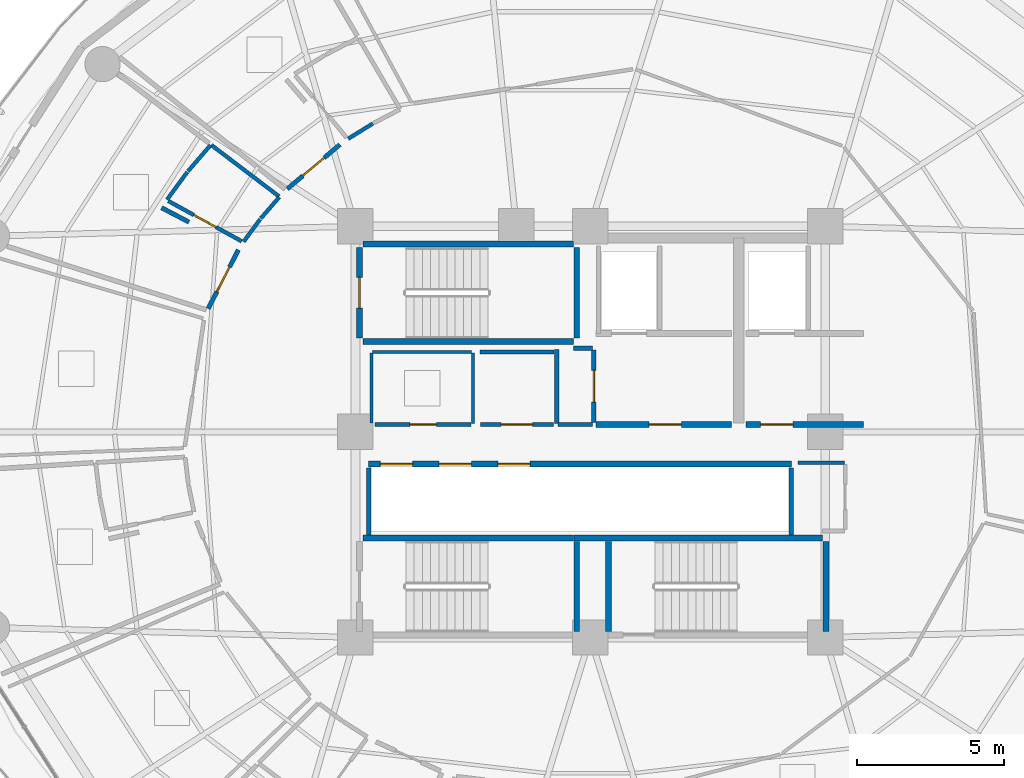
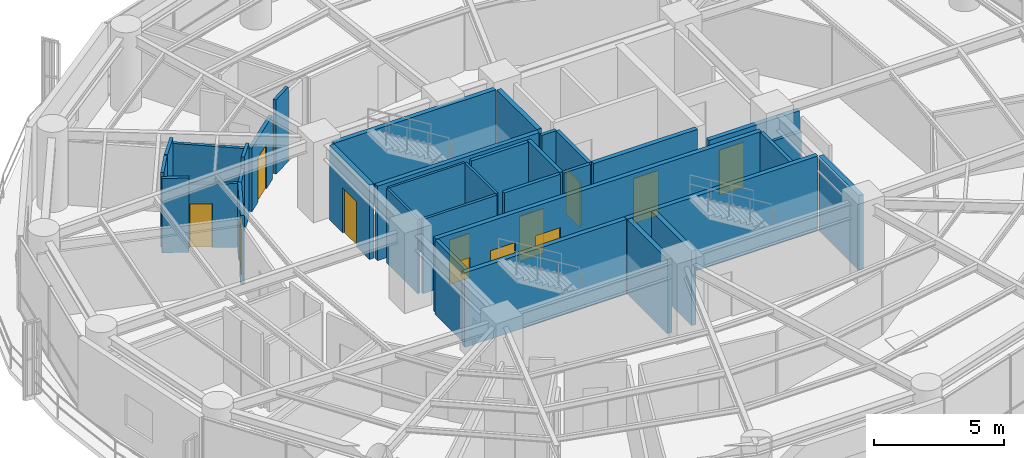
# One storey, part 22 of 27: 35 walls, 12 doors, 12 openings.
"""IFC4 building model written with IfcOpenShell, lengths in metres."""

from ifc_helpers import new_model, si_unit, direction, frame, frame_2d, origin, place, context, subcontext, project, spatial, rectangle, extrude, material, layer, layer_set, type_object, element, fill, save


model = new_model("IFC4")

# Units and contexts
model_context = context("Model", 3, precision=1e-05, world=origin(), true_north=direction((0.0, 1.0)))
body_context = subcontext(model_context, "Body", "Model", "MODEL_VIEW")
ifc_project = project(units=[si_unit("LENGTHUNIT", "METRE"), si_unit("AREAUNIT", "SQUARE_METRE"), si_unit("VOLUMEUNIT", "CUBIC_METRE"), si_unit("PLANEANGLEUNIT", "RADIAN"), si_unit("MASSUNIT", "GRAM", prefix="KILO")], contexts=[model_context])

# Site, building, storey
site_placement = place(None, origin())
site = spatial("IfcSite", under=ifc_project, at=site_placement, CompositionType="ELEMENT")
building_placement = place(site_placement, origin())
building = spatial("IfcBuilding", under=site, at=building_placement, Name="Kelanora Arch Commons", CompositionType="ELEMENT")
storey_placement = place(building_placement, frame((0.0, 0.0, 150.60009765625)))
storey = spatial("IfcBuildingStorey", under=building, at=storey_placement, Name="L38", CompositionType="ELEMENT", Elevation=150.60009765625)

# Walls
ifc_material_1 = material(Name="Autoclaved aerated concrete blockwork with fire plaster", Category="masonry")
ifc_layer_1 = layer(ifc_material_1, 0.14990234375)
ifc_layer_set_1 = layer_set([ifc_layer_1], Name="Autoclaved aerated concrete blockwork with fire plaster")
wall_type_1 = type_object("IfcWallType", Name="W-COMP-150", PredefinedType="PARTITIONING", material=ifc_layer_set_1)
for number, where, z_axis, x_axis, name in (
    (1, (66.4599609375, 54.47998046875, 0.0), (0.0, 0.0, 1.0), (0.0, 1.0, 0.0), "South Lift Bank West Wall L38"),
    (2, (80.840087890625, 54.47998046875, 0.0), (0.0, 0.0, 1.0), (0.0, 1.0, 0.0), "South Lift Bank East Wall L38"),
):
    element("IfcWall", number, at=place(storey_placement, frame(where, z_axis=z_axis, x_axis=x_axis)), inside=storey, type_object=wall_type_1, Name=name, PredefinedType="PARTITIONING", context=body_context, shape_type="SweptSolid", body=[
        extrude(rectangle(XDim=2.2900390625, YDim=0.14990234375, at=frame_2d((1.14501953125, 0.0))), origin(), (0.0, 0.0, 1.0), 3.47998046875),
    ])

# Wall, opening, door
wall_1_placement = place(storey_placement, frame((74.1201171875, 58.31005859375, 0.0), z_axis=(0.0, 0.0, 1.0), x_axis=(0.0, 1.0, 0.0)))
wall_1 = element("IfcWall", 3, at=wall_1_placement, inside=storey, type_object=wall_type_1, Name="Core Linen Supply Store L38 Entry Partition", PredefinedType="PARTITIONING", context=body_context, shape_type="SweptSolid", body=[
    extrude(rectangle(XDim=2.47998046875, YDim=0.14990234375, at=frame_2d((1.239990234375, 0.0))), origin(), (0.0, 0.0, 1.0), 3.47998046875),
])
opening_1_placement = place(wall_1_placement, frame((0.699951171875, 0.0, 0.0)))
opening_1 = element("IfcOpeningElement", 4, at=opening_1_placement, cuts=wall_1, Name="Opening D-PLT1", PredefinedType="OPENING", context=body_context, shape_type="SweptSolid", body=[
    extrude(rectangle(XDim=1.080078125, YDim=2.10009765625, at=frame_2d((0.5400390625, 1.050048828125))), frame((0.0, 0.0849609375, 0.0), z_axis=(0.0, -1.0, 0.0), x_axis=(1.0, 0.0, 0.0)), (0.0, 0.0, 1.0), 0.169921875),
])
ifc_material_2 = material(Name="Galvanised steel plant and riser fire door", Category="steel")
door_type_1 = type_object("IfcDoorType", Name="D-PLT-110", OperationType="NOTDEFINED", PredefinedType="DOOR", material=ifc_material_2)
door_1_placement = place(opening_1_placement, origin())
door_1 = element("IfcDoor", 5, at=door_1_placement, inside=storey, type_object=door_type_1, Name="Core Linen Supply Store L38 Door", OperationType="SINGLE_SWING_RIGHT", OverallHeight=2.10009765625, OverallWidth=1.080078125, PredefinedType="DOOR", context=body_context, shape_type="SweptSolid", body=[
    extrude(rectangle(XDim=1.080078125, YDim=2.10009765625, at=frame_2d((0.5400390625, 1.050048828125))), frame((0.0, 0.02490234375, 0.0), z_axis=(0.0, -1.0, 0.0), x_axis=(1.0, 0.0, 0.0)), (0.0, 0.0, 1.0), 0.050048828125),
])
fill(opening_1, door_1)

wall_2_placement = place(storey_placement, frame((70.260009765625, 58.25, 0.0), z_axis=(0.0, 0.0, 1.0), x_axis=(1.0, 0.0, 0.0)))
wall_2 = element("IfcWall", 6, at=wall_2_placement, inside=storey, type_object=wall_type_1, Name="Reclaimed Core Linen Store L38 Entry Partition", PredefinedType="PARTITIONING", context=body_context, shape_type="SweptSolid", body=[
    extrude(rectangle(XDim=2.47998046875, YDim=0.14990234375, at=frame_2d((1.239990234375, 0.0))), origin(), (0.0, 0.0, 1.0), 3.47998046875),
])
opening_2_placement = place(wall_2_placement, frame((0.699951171875, 0.0, 0.0)))
opening_2 = element("IfcOpeningElement", 7, at=opening_2_placement, cuts=wall_2, Name="Opening D-PLT1", PredefinedType="OPENING", context=body_context, shape_type="SweptSolid", body=[
    extrude(rectangle(XDim=1.080078125, YDim=2.10009765625, at=frame_2d((0.5400390625, 1.050048828125))), frame((0.0, 0.0849609375, 0.0), z_axis=(0.0, -1.0, 0.0), x_axis=(1.0, 0.0, 0.0)), (0.0, 0.0, 1.0), 0.169921875),
])
door_2_placement = place(opening_2_placement, origin())
door_2 = element("IfcDoor", 8, at=door_2_placement, inside=storey, type_object=door_type_1, Name="Reclaimed Core Linen Store L38 Door", OperationType="SINGLE_SWING_LEFT", OverallHeight=2.10009765625, OverallWidth=1.080078125, PredefinedType="DOOR", context=body_context, shape_type="SweptSolid", body=[
    extrude(rectangle(XDim=1.080078125, YDim=2.10009765625, at=frame_2d((0.5400390625, 1.050048828125))), frame((0.0, 0.02490234375, 0.0), z_axis=(0.0, -1.0, 0.0), x_axis=(1.0, 0.0, 0.0)), (0.0, 0.0, 1.0), 0.050048828125),
])
fill(opening_2, door_2)

wall_3_placement = place(storey_placement, frame((65.47314453125, 67.7802734375, 0.0), z_axis=(0.0, 0.0, 1.0), x_axis=(-0.764572750514, -0.644537438146, 0.0)))
wall_3 = element("IfcWall", 9, at=wall_3_placement, inside=storey, type_object=wall_type_1, Name="Co-Living Studio L38-01 Entry Partition", PredefinedType="PARTITIONING", context=body_context, shape_type="SweptSolid", body=[
    extrude(rectangle(XDim=2.339111328125, YDim=0.14990234375, at=frame_2d((1.16943359375, 0.0))), origin(), (0.0, 0.0, 1.0), 2.974853515625),
])
opening_3_placement = place(wall_3_placement, frame((0.694091796875, 0.0, 0.0)))
opening_3 = element("IfcOpeningElement", 10, at=opening_3_placement, cuts=wall_3, Name="Opening D-CLU1", PredefinedType="OPENING", context=body_context, shape_type="SweptSolid", body=[
    extrude(rectangle(XDim=0.949951171875, YDim=2.080078125, at=frame_2d((0.47509765625, 1.0400390625))), frame((0.0, 0.0849609375, 0.0), z_axis=(0.0, -1.0, 0.0), x_axis=(1.0, 0.0, 0.0)), (0.0, 0.0, 1.0), 0.169921875),
])
ifc_material_3 = material(Name="Solid-core acoustic timber cluster entry fire door", Category="wood")
door_type_2 = type_object("IfcDoorType", Name="D-CLU-95", OperationType="NOTDEFINED", PredefinedType="DOOR", material=ifc_material_3)
door_3_placement = place(opening_3_placement, origin())
door_3 = element("IfcDoor", 11, at=door_3_placement, inside=storey, type_object=door_type_2, Name="Co-Living Studio L38-01 Door", OperationType="SINGLE_SWING_LEFT", OverallHeight=2.080078125, OverallWidth=0.949951171875, PredefinedType="DOOR", context=body_context, shape_type="SweptSolid", body=[
    extrude(rectangle(XDim=0.949951171875, YDim=2.080078125, at=frame_2d((0.47509765625, 1.0400390625))), frame((0.0, 0.02490234375, 0.0), z_axis=(0.0, -1.0, 0.0), x_axis=(1.0, 0.0, 0.0)), (0.0, 0.0, 1.0), 0.050048828125),
])
fill(opening_3, door_3)

wall_4_placement = place(storey_placement, frame((62.0146484375, 64.191650390625, 0.0), z_axis=(0.0, 0.0, 1.0), x_axis=(-0.457234963971, -0.889345932538, 0.0)))
wall_4 = element("IfcWall", 12, at=wall_4_placement, inside=storey, type_object=wall_type_1, Name="Co-Living Studio L38-02 Entry Partition", PredefinedType="PARTITIONING", context=body_context, shape_type="SweptSolid", body=[
    extrude(rectangle(XDim=2.24462890625, YDim=0.14990234375, at=frame_2d((1.122314453125, 0.0))), origin(), (0.0, 0.0, 1.0), 3.23486328125),
])
opening_4_placement = place(wall_4_placement, frame((0.64697265625, 0.0, 0.0)))
opening_4 = element("IfcOpeningElement", 13, at=opening_4_placement, cuts=wall_4, Name="Opening D-CLU1", PredefinedType="OPENING", context=body_context, shape_type="SweptSolid", body=[
    extrude(rectangle(XDim=0.949951171875, YDim=2.080078125, at=frame_2d((0.47509765625, 1.0400390625))), frame((0.0, 0.0849609375, 0.0), z_axis=(0.0, -1.0, 0.0), x_axis=(1.0, 0.0, 0.0)), (0.0, 0.0, 1.0), 0.169921875),
])
door_4_placement = place(opening_4_placement, origin())
door_4 = element("IfcDoor", 14, at=door_4_placement, inside=storey, type_object=door_type_2, Name="Co-Living Studio L38-02 Door", OperationType="SINGLE_SWING_LEFT", OverallHeight=2.080078125, OverallWidth=0.949951171875, PredefinedType="DOOR", context=body_context, shape_type="SweptSolid", body=[
    extrude(rectangle(XDim=0.949951171875, YDim=2.080078125, at=frame_2d((0.47509765625, 1.0400390625))), frame((0.0, 0.02490234375, 0.0), z_axis=(0.0, -1.0, 0.0), x_axis=(1.0, 0.0, 0.0)), (0.0, 0.0, 1.0), 0.050048828125),
])
fill(opening_4, door_4)

# Walls
wall_5_placement = place(storey_placement, frame((72.89990234375, 58.25, 0.0), z_axis=(0.0, 0.0, 1.0), x_axis=(1.0, 0.0, 0.0)))
element("IfcWall", 15, at=wall_5_placement, inside=storey, type_object=wall_type_1, Name="Core Linen Supply Store L38 Enclosure Partition 1", PredefinedType="PARTITIONING", context=body_context, shape_type="SweptSolid", body=[
    extrude(rectangle(XDim=1.18017578125, YDim=0.14990234375, at=frame_2d((0.590087890625, 0.0))), origin(), (0.0, 0.0, 1.0), 3.47998046875),
])
wall_6_placement = place(storey_placement, frame((74.080078125, 60.85009765625, 0.0), z_axis=(0.0, 0.0, 1.0), x_axis=(-1.0, 0.0, 0.0)))
element("IfcWall", 16, at=wall_6_placement, inside=storey, type_object=wall_type_1, Name="Core Linen Supply Store L38 Enclosure Partition 3", PredefinedType="PARTITIONING", context=body_context, shape_type="SweptSolid", body=[
    extrude(rectangle(XDim=0.66015625, YDim=0.14990234375, at=frame_2d((0.330078125, 0.0))), origin(), (0.0, 0.0, 1.0), 3.47998046875),
])
for number, where, z_axis, x_axis, name in (
    (17, (72.860107421875, 60.81005859375, 0.0), (0.0, 0.0, 1.0), (0.0, -1.0, 0.0), "Core Linen Supply Store L38 Enclosure Partition 4"),
    (18, (72.760009765625, 60.719970703125, 0.0), (0.0, 0.0, 1.0), (-1.0, 0.0, 0.0), "Reclaimed Core Linen Store L38 Enclosure Partition 3"),
):
    element("IfcWall", number, at=place(storey_placement, frame(where, z_axis=z_axis, x_axis=x_axis)), inside=storey, type_object=wall_type_1, Name=name, PredefinedType="PARTITIONING", context=body_context, shape_type="SweptSolid", body=[
        extrude(rectangle(XDim=2.52001953125, YDim=0.14990234375, at=frame_2d((1.260009765625, 0.0))), origin(), (0.0, 0.0, 1.0), 3.47998046875),
    ])
wall_7_placement = place(storey_placement, frame((59.40234375, 65.63037109375, 0.0), z_axis=(0.0, 0.0, 1.0), x_axis=(0.885450338388, -0.46473400806, 0.0)))
element("IfcWall", 19, at=wall_7_placement, inside=storey, type_object=wall_type_1, Name="Co-Living Studio L38-02 Enclosure Partition 7", PredefinedType="PARTITIONING", context=body_context, shape_type="SweptSolid", body=[
    extrude(rectangle(XDim=1.0537109375, YDim=0.14990234375, at=frame_2d((0.52685546875, 0.0))), origin(), (0.0, 0.0, 1.0), 3.47998046875),
])

# Wall, opening, door
ifc_material_4 = material(Name="Concrete C40/50", Category="concrete")
ifc_layer_2 = layer(ifc_material_4, 0.199951171875)
ifc_layer_set_2 = layer_set([ifc_layer_2], Name="Concrete C40/50")
wall_type_2 = type_object("IfcWallType", Name="W-FFL-200", PredefinedType="SOLIDWALL", material=ifc_layer_set_2)
wall_8_placement = place(storey_placement, frame((74.199951171875, 58.25, 0.0), z_axis=(0.0, 0.0, 1.0), x_axis=(1.0, 0.0, 0.0)))
wall_8 = element("IfcWall", 20, at=wall_8_placement, inside=storey, type_object=wall_type_2, Name="Firefighting Lobby 1 Enclosure Wall L38", PredefinedType="SOLIDWALL", context=body_context, shape_type="SweptSolid", body=[
    extrude(rectangle(XDim=4.60009765625, YDim=0.199951171875, at=frame_2d((2.300048828125, 0.0))), origin(), (0.0, 0.0, 1.0), 3.47998046875),
])
opening_5_placement = place(wall_8_placement, frame((1.800048828125, 0.0, 0.0)))
opening_5 = element("IfcOpeningElement", 21, at=opening_5_placement, cuts=wall_8, Name="Opening D-FFL1", PredefinedType="OPENING", context=body_context, shape_type="SweptSolid", body=[
    extrude(rectangle(XDim=1.10009765625, YDim=2.10009765625, at=frame_2d((0.550048828125, 1.050048828125))), frame((0.0, 0.10986328125, 0.0), z_axis=(0.0, -1.0, 0.0), x_axis=(1.0, 0.0, 0.0)), (0.0, 0.0, 1.0), 0.219970703125),
])
ifc_material_5 = material(Name="Smoke-sealed firefighting lobby fire door")
door_type_3 = type_object("IfcDoorType", Name="D-FFL-110", OperationType="NOTDEFINED", PredefinedType="DOOR", material=ifc_material_5)
door_5_placement = place(opening_5_placement, frame((1.10009765625, 0.0, 0.0), z_axis=(0.0, 0.0, 1.0), x_axis=(-1.0, 0.0, 0.0)))
door_5 = element("IfcDoor", 22, at=door_5_placement, inside=storey, type_object=door_type_3, Name="Firefighting Lobby 1 Door L38", OperationType="SINGLE_SWING_LEFT", OverallHeight=2.10009765625, OverallWidth=1.10009765625, PredefinedType="DOOR", context=body_context, shape_type="SweptSolid", body=[
    extrude(rectangle(XDim=1.10009765625, YDim=2.10009765625, at=frame_2d((0.550048828125, 1.050048828125))), frame((0.0, 0.02490234375, 0.0), z_axis=(0.0, -1.0, 0.0), x_axis=(1.0, 0.0, 0.0)), (0.0, 0.0, 1.0), 0.050048828125),
])
fill(opening_5, door_5)

wall_9_placement = place(storey_placement, frame((79.300048828125, 58.25, 0.0), z_axis=(0.0, 0.0, 1.0), x_axis=(1.0, 0.0, 0.0)))
wall_9 = element("IfcWall", 23, at=wall_9_placement, inside=storey, type_object=wall_type_2, Name="Firefighting Lobby 2 Enclosure Wall L38", PredefinedType="SOLIDWALL", context=body_context, shape_type="SweptSolid", body=[
    extrude(rectangle(XDim=4.0, YDim=0.199951171875, at=frame_2d((2.0, 0.0))), origin(), (0.0, 0.0, 1.0), 2.77490234375),
])
opening_6_placement = place(wall_9_placement, frame((0.5, 0.0, 0.0)))
opening_6 = element("IfcOpeningElement", 24, at=opening_6_placement, cuts=wall_9, Name="Opening D-FFL1", PredefinedType="OPENING", context=body_context, shape_type="SweptSolid", body=[
    extrude(rectangle(XDim=1.10009765625, YDim=2.10009765625, at=frame_2d((0.550048828125, 1.050048828125))), frame((0.0, 0.10986328125, 0.0), z_axis=(0.0, -1.0, 0.0), x_axis=(1.0, 0.0, 0.0)), (0.0, 0.0, 1.0), 0.219970703125),
])
door_6_placement = place(opening_6_placement, frame((1.10009765625, 0.0, 0.0), z_axis=(0.0, 0.0, 1.0), x_axis=(-1.0, 0.0, 0.0)))
door_6 = element("IfcDoor", 25, at=door_6_placement, inside=storey, type_object=door_type_3, Name="Firefighting Lobby 2 Door L38", OperationType="SINGLE_SWING_RIGHT", OverallHeight=2.10009765625, OverallWidth=1.10009765625, PredefinedType="DOOR", context=body_context, shape_type="SweptSolid", body=[
    extrude(rectangle(XDim=1.10009765625, YDim=2.10009765625, at=frame_2d((0.550048828125, 1.050048828125))), frame((0.0, 0.02490234375, 0.0), z_axis=(0.0, -1.0, 0.0), x_axis=(1.0, 0.0, 0.0)), (0.0, 0.0, 1.0), 0.050048828125),
])
fill(opening_6, door_6)

# Wall, openings, doors
wall_10_placement = place(storey_placement, frame((66.449951171875, 56.89990234375, 0.0), z_axis=(0.0, 0.0, 1.0), x_axis=(1.0, 0.0, 0.0)))
wall_10 = element("IfcWall", 26, at=wall_10_placement, inside=storey, type_object=wall_type_2, Name="Mid/High/Express Lift Shaft Front L38", PredefinedType="SOLIDWALL", context=body_context, shape_type="SweptSolid", body=[
    extrude(rectangle(XDim=14.400146484375, YDim=0.199951171875, at=frame_2d((7.2001953125, 0.0))), origin(), (0.0, 0.0, 1.0), 3.47998046875),
])
opening_7_placement = place(wall_10_placement, frame((0.39990234375, 0.0, 0.0)))
opening_7 = element("IfcOpeningElement", 27, at=opening_7_placement, cuts=wall_10, Name="Opening LD-01", PredefinedType="OPENING", context=body_context, shape_type="SweptSolid", body=[
    extrude(rectangle(XDim=1.10009765625, YDim=2.10009765625, at=frame_2d((0.550048828125, 1.050048828125))), frame((0.0, 0.10986328125, 0.0), z_axis=(0.0, -1.0, 0.0), x_axis=(1.0, 0.0, 0.0)), (0.0, 0.0, 1.0), 0.219970703125),
])
opening_8_placement = place(wall_10_placement, frame((2.39990234375, 0.0, 0.0)))
opening_8 = element("IfcOpeningElement", 28, at=opening_8_placement, cuts=wall_10, Name="Opening LD-01", PredefinedType="OPENING", context=body_context, shape_type="SweptSolid", body=[
    extrude(rectangle(XDim=1.10009765625, YDim=2.10009765625, at=frame_2d((0.550048828125, 1.050048828125))), frame((0.0, 0.10986328125, 0.0), z_axis=(0.0, -1.0, 0.0), x_axis=(1.0, 0.0, 0.0)), (0.0, 0.0, 1.0), 0.219970703125),
])
opening_9_placement = place(wall_10_placement, frame((4.39990234375, 0.0, 0.0)))
opening_9 = element("IfcOpeningElement", 29, at=opening_9_placement, cuts=wall_10, Name="Opening LD-01", PredefinedType="OPENING", context=body_context, shape_type="SweptSolid", body=[
    extrude(rectangle(XDim=1.10009765625, YDim=2.10009765625, at=frame_2d((0.550048828125, 1.050048828125))), frame((0.0, 0.10986328125, 0.0), z_axis=(0.0, -1.0, 0.0), x_axis=(1.0, 0.0, 0.0)), (0.0, 0.0, 1.0), 0.219970703125),
])
ifc_material_6 = material(Name="Stainless steel passenger lift sliding landing door", Category="steel")
door_type_4 = type_object("IfcDoorType", Name="D-LIFT-110", OperationType="NOTDEFINED", PredefinedType="DOOR", material=ifc_material_6)
door_7_placement = place(opening_7_placement, origin())
door_7 = element("IfcDoor", 30, at=door_7_placement, inside=storey, type_object=door_type_4, Name="Passenger Lift LF-P4 Landing Door L38", OperationType="DOUBLE_DOOR_SLIDING", OverallHeight=2.10009765625, OverallWidth=1.10009765625, PredefinedType="DOOR", context=body_context, shape_type="SweptSolid", body=[
    extrude(rectangle(XDim=1.10009765625, YDim=2.10009765625, at=frame_2d((0.550048828125, 1.050048828125))), frame((0.0, 0.02490234375, 0.0), z_axis=(0.0, -1.0, 0.0), x_axis=(1.0, 0.0, 0.0)), (0.0, 0.0, 1.0), 0.050048828125),
])
fill(opening_7, door_7)
door_8_placement = place(opening_8_placement, origin())
door_8 = element("IfcDoor", 31, at=door_8_placement, inside=storey, type_object=door_type_4, Name="Passenger Lift LF-P5 Landing Door L38", OperationType="DOUBLE_DOOR_SLIDING", OverallHeight=2.10009765625, OverallWidth=1.10009765625, PredefinedType="DOOR", context=body_context, shape_type="SweptSolid", body=[
    extrude(rectangle(XDim=1.10009765625, YDim=2.10009765625, at=frame_2d((0.550048828125, 1.050048828125))), frame((0.0, 0.02490234375, 0.0), z_axis=(0.0, -1.0, 0.0), x_axis=(1.0, 0.0, 0.0)), (0.0, 0.0, 1.0), 0.050048828125),
])
fill(opening_8, door_8)
door_9_placement = place(opening_9_placement, origin())
door_9 = element("IfcDoor", 32, at=door_9_placement, inside=storey, type_object=door_type_4, Name="Passenger Lift LF-P6 Landing Door L38", OperationType="DOUBLE_DOOR_SLIDING", OverallHeight=2.10009765625, OverallWidth=1.10009765625, PredefinedType="DOOR", context=body_context, shape_type="SweptSolid", body=[
    extrude(rectangle(XDim=1.10009765625, YDim=2.10009765625, at=frame_2d((0.550048828125, 1.050048828125))), frame((0.0, 0.02490234375, 0.0), z_axis=(0.0, -1.0, 0.0), x_axis=(1.0, 0.0, 0.0)), (0.0, 0.0, 1.0), 0.050048828125),
])
fill(opening_9, door_9)

# Walls
ifc_material_7 = material(Name="Lightweight fire-rated acoustic stud partition")
ifc_layer_3 = layer(ifc_material_7, 0.10009765625)
ifc_layer_set_3 = layer_set([ifc_layer_3], Name="Lightweight fire-rated acoustic stud partition")
wall_type_3 = type_object("IfcWallType", Name="W-PART-100", PredefinedType="PARTITIONING", material=ifc_layer_set_3)
wall_11_placement = place(storey_placement, frame((70.0, 58.2900390625, 0.0), z_axis=(0.0, 0.0, 1.0), x_axis=(0.0, 1.0, 0.0)))
element("IfcWall", 33, at=wall_11_placement, inside=storey, type_object=wall_type_3, Name="Reclaimed Core Quiet Phone Booths L38 Enclosure Partition 2", PredefinedType="PARTITIONING", context=body_context, shape_type="SweptSolid", body=[
    extrude(rectangle(XDim=2.389892578125, YDim=0.10009765625, at=frame_2d((1.19482421875, 0.0))), origin(), (0.0, 0.0, 1.0), 3.47998046875),
])
wall_12_placement = place(storey_placement, frame((69.9599609375, 60.719970703125, 0.0), z_axis=(0.0, 0.0, 1.0), x_axis=(-1.0, 0.0, 0.0)))
element("IfcWall", 34, at=wall_12_placement, inside=storey, type_object=wall_type_3, Name="Reclaimed Core Quiet Phone Booths L38 Enclosure Partition 3", PredefinedType="PARTITIONING", context=body_context, shape_type="SweptSolid", body=[
    extrude(rectangle(XDim=3.369873046875, YDim=0.10009765625, at=frame_2d((1.68505859375, 0.0))), origin(), (0.0, 0.0, 1.0), 3.47998046875),
])
wall_13_placement = place(storey_placement, frame((66.550048828125, 60.679931640625, 0.0), z_axis=(0.0, 0.0, 1.0), x_axis=(0.0, -1.0, 0.0)))
element("IfcWall", 35, at=wall_13_placement, inside=storey, type_object=wall_type_3, Name="Reclaimed Core Quiet Phone Booths L38 Enclosure Partition 4", PredefinedType="PARTITIONING", context=body_context, shape_type="SweptSolid", body=[
    extrude(rectangle(XDim=2.383056640625, YDim=0.10009765625, at=frame_2d((1.19140625, 0.0))), origin(), (0.0, 0.0, 1.0), 3.47998046875),
])

# Wall, opening, door
ifc_material_8 = material(Name="Acoustic twin-stud fire-rated gypsum partition")
ifc_layer_4 = layer(ifc_material_8, 0.1201171875)
ifc_layer_set_4 = layer_set([ifc_layer_4], Name="Acoustic twin-stud fire-rated gypsum partition")
wall_type_4 = type_object("IfcWallType", Name="W-PART-120", PredefinedType="PARTITIONING", material=ifc_layer_set_4)
wall_14_placement = place(storey_placement, frame((66.67529296875, 58.25, 0.0), z_axis=(0.0, 0.0, 1.0), x_axis=(1.0, 0.0, 0.0)))
wall_14 = element("IfcWall", 36, at=wall_14_placement, inside=storey, type_object=wall_type_4, Name="Reclaimed Core Quiet Phone Booths L38 Entry Partition", PredefinedType="PARTITIONING", context=body_context, shape_type="SweptSolid", body=[
    extrude(rectangle(XDim=3.2646484375, YDim=0.1201171875, at=frame_2d((1.63232421875, 0.0))), origin(), (0.0, 0.0, 1.0), 3.47998046875),
])
opening_10_placement = place(wall_14_placement, frame((1.181884765625, 0.0, 0.0)))
opening_10 = element("IfcOpeningElement", 37, at=opening_10_placement, cuts=wall_14, Name="Opening D-RM1", PredefinedType="OPENING", context=body_context, shape_type="SweptSolid", body=[
    extrude(rectangle(XDim=0.89990234375, YDim=2.080078125, at=frame_2d((0.449951171875, 1.0400390625))), frame((0.0, 0.070068359375, 0.0), z_axis=(0.0, -1.0, 0.0), x_axis=(1.0, 0.0, 0.0)), (0.0, 0.0, 1.0), 0.14013671875),
])
ifc_material_9 = material(Name="Acoustic fire-rated timber study and lounge door", Category="wood")
door_type_5 = type_object("IfcDoorType", Name="D-ROOM-90", OperationType="NOTDEFINED", PredefinedType="DOOR", material=ifc_material_9)
door_10_placement = place(opening_10_placement, origin())
door_10 = element("IfcDoor", 38, at=door_10_placement, inside=storey, type_object=door_type_5, Name="Reclaimed Core Quiet Phone Booths L38 Door", OperationType="SINGLE_SWING_RIGHT", OverallHeight=2.080078125, OverallWidth=0.89990234375, PredefinedType="DOOR", context=body_context, shape_type="SweptSolid", body=[
    extrude(rectangle(XDim=0.89990234375, YDim=2.080078125, at=frame_2d((0.449951171875, 1.0400390625))), frame((0.0, 0.02490234375, 0.0), z_axis=(0.0, -1.0, 0.0), x_axis=(1.0, 0.0, 0.0)), (0.0, 0.0, 1.0), 0.050048828125),
])
fill(opening_10, door_10)

# Walls
ifc_layer_5 = layer(ifc_material_4, 0.199951171875)
ifc_layer_set_5 = layer_set([ifc_layer_5], Name="Concrete C40/50")
wall_type_5 = type_object("IfcWallType", Name="W-STAIR-200", PredefinedType="SHEAR", material=ifc_layer_set_5)
wall_15_placement = place(storey_placement, frame((66.260009765625, 61.080078125, 0.0), z_axis=(0.0, 0.0, 1.0), x_axis=(1.0, 0.0, 0.0)))
element("IfcWall", 39, at=wall_15_placement, inside=storey, type_object=wall_type_5, Name="Stair ST-T1 Shaft Wall S L38", PredefinedType="SHEAR", context=body_context, shape_type="SweptSolid", body=[
    extrude(rectangle(XDim=7.159912109375, YDim=0.199951171875, at=frame_2d((3.580078125, 0.0))), origin(), (0.0, 0.0, 1.0), 3.489990234375),
])
wall_16_placement = place(storey_placement, frame((73.5400390625, 61.199951171875, 0.0), z_axis=(0.0, 0.0, 1.0), x_axis=(0.0, 1.0, 0.0)))
element("IfcWall", 40, at=wall_16_placement, inside=storey, type_object=wall_type_5, Name="Stair ST-T1 Shaft Wall E L38", PredefinedType="SHEAR", context=body_context, shape_type="SweptSolid", body=[
    extrude(rectangle(XDim=3.070068359375, YDim=0.199951171875, at=frame_2d((1.53515625, 0.0))), origin(), (0.0, 0.0, 1.0), 3.489990234375),
])
wall_17_placement = place(storey_placement, frame((73.419921875, 64.389892578125, 0.0), z_axis=(0.0, 0.0, 1.0), x_axis=(-1.0, 0.0, 0.0)))
element("IfcWall", 41, at=wall_17_placement, inside=storey, type_object=wall_type_5, Name="Stair ST-T1 Shaft Wall N L38", PredefinedType="SHEAR", context=body_context, shape_type="SweptSolid", body=[
    extrude(rectangle(XDim=7.159912109375, YDim=0.199951171875, at=frame_2d((3.580078125, 0.0))), origin(), (0.0, 0.0, 1.0), 3.489990234375),
])

# Wall, opening, door
wall_18_placement = place(storey_placement, frame((66.139892578125, 64.27001953125, 0.0), z_axis=(0.0, 0.0, 1.0), x_axis=(0.0, -1.0, 0.0)))
wall_18 = element("IfcWall", 42, at=wall_18_placement, inside=storey, type_object=wall_type_5, Name="Stair ST-T1 Shaft Wall W L38", PredefinedType="SHEAR", context=body_context, shape_type="SweptSolid", body=[
    extrude(rectangle(XDim=3.070068359375, YDim=0.199951171875, at=frame_2d((1.53515625, 0.0))), origin(), (0.0, 0.0, 1.0), 3.489990234375),
])
opening_11_placement = place(wall_18_placement, frame((1.010009765625, 0.0, 0.0)))
opening_11 = element("IfcOpeningElement", 43, at=opening_11_placement, cuts=wall_18, Name="Opening D-ST1", PredefinedType="OPENING", context=body_context, shape_type="SweptSolid", body=[
    extrude(rectangle(XDim=1.050048828125, YDim=2.10009765625, at=frame_2d((0.52490234375, 1.050048828125))), frame((0.0, 0.10986328125, 0.0), z_axis=(0.0, -1.0, 0.0), x_axis=(1.0, 0.0, 0.0)), (0.0, 0.0, 1.0), 0.219970703125),
])
ifc_material_10 = material(Name="Steel fire-rated stairwell escape door", Category="steel")
door_type_6 = type_object("IfcDoorType", Name="D-STAIR-110", OperationType="NOTDEFINED", PredefinedType="DOOR", material=ifc_material_10)
door_11_placement = place(opening_11_placement, origin())
door_11 = element("IfcDoor", 44, at=door_11_placement, inside=storey, type_object=door_type_6, Name="Stair ST-T1 Escape Door L38", OperationType="SINGLE_SWING_LEFT", OverallHeight=2.10009765625, OverallWidth=1.050048828125, PredefinedType="DOOR", context=body_context, shape_type="SweptSolid", body=[
    extrude(rectangle(XDim=1.050048828125, YDim=2.10009765625, at=frame_2d((0.52490234375, 1.050048828125))), frame((0.0, 0.02490234375, 0.0), z_axis=(0.0, -1.0, 0.0), x_axis=(1.0, 0.0, 0.0)), (0.0, 0.0, 1.0), 0.050048828125),
])
fill(opening_11, door_11)

# Walls
wall_19_placement = place(storey_placement, frame((82.02001953125, 51.199951171875, 0.0), z_axis=(0.0, 0.0, 1.0), x_axis=(0.0, 1.0, 0.0)))
element("IfcWall", 45, at=wall_19_placement, inside=storey, type_object=wall_type_5, Name="Stair ST-T2 Shaft Wall E L38", PredefinedType="SHEAR", context=body_context, shape_type="SweptSolid", body=[
    extrude(rectangle(XDim=3.070068359375, YDim=0.199951171875, at=frame_2d((1.53515625, 0.0))), origin(), (0.0, 0.0, 1.0), 3.489990234375),
])
wall_20_placement = place(storey_placement, frame((81.89990234375, 54.389892578125, 0.0), z_axis=(0.0, 0.0, 1.0), x_axis=(-1.0, 0.0, 0.0)))
element("IfcWall", 46, at=wall_20_placement, inside=storey, type_object=wall_type_5, Name="Stair ST-T2 Shaft Wall N L38", PredefinedType="SHEAR", context=body_context, shape_type="SweptSolid", body=[
    extrude(rectangle(XDim=8.4599609375, YDim=0.199951171875, at=frame_2d((4.22998046875, 0.0))), origin(), (0.0, 0.0, 1.0), 3.489990234375),
])
for number, where, z_axis, x_axis, name in (
    (47, (74.6201171875, 54.27001953125, 0.0), (0.0, 0.0, 1.0), (0.0, -1.0, 0.0), "Stair ST-T2 Shaft Wall W L38"),
    (48, (73.5400390625, 51.199951171875, 0.0), (0.0, 0.0, 1.0), (0.0, 1.0, 0.0), "Stair ST-T3 Shaft Wall E L38"),
):
    element("IfcWall", number, at=place(storey_placement, frame(where, z_axis=z_axis, x_axis=x_axis)), inside=storey, type_object=wall_type_5, Name=name, PredefinedType="SHEAR", context=body_context, shape_type="SweptSolid", body=[
        extrude(rectangle(XDim=3.070068359375, YDim=0.199951171875, at=frame_2d((1.53515625, 0.0))), origin(), (0.0, 0.0, 1.0), 3.489990234375),
    ])
wall_21_placement = place(storey_placement, frame((73.419921875, 54.389892578125, 0.0), z_axis=(0.0, 0.0, 1.0), x_axis=(-1.0, 0.0, 0.0)))
element("IfcWall", 49, at=wall_21_placement, inside=storey, type_object=wall_type_5, Name="Stair ST-T3 Shaft Wall N L38", PredefinedType="SHEAR", context=body_context, shape_type="SweptSolid", body=[
    extrude(rectangle(XDim=7.159912109375, YDim=0.199951171875, at=frame_2d((3.580078125, 0.0))), origin(), (0.0, 0.0, 1.0), 3.489990234375),
])

# Wall, opening, door
ifc_material_11 = material(Name="Moisture-resistant fire-rated cement-board plumbing wall")
ifc_layer_6 = layer(ifc_material_11, 0.1298828125)
ifc_layer_set_6 = layer_set([ifc_layer_6], Name="Moisture-resistant fire-rated cement-board plumbing wall")
wall_type_6 = type_object("IfcWallType", Name="W-WET-120", PredefinedType="PLUMBINGWALL", material=ifc_layer_set_6)
wall_22_placement = place(storey_placement, frame((62.13134765625, 64.489013671875, 0.0), z_axis=(0.0, 0.0, 1.0), x_axis=(-0.87680194327, 0.480851694681, 0.0)))
wall_22 = element("IfcWall", 50, at=wall_22_placement, inside=storey, type_object=wall_type_6, Name="En-Suite Shower WC L38-02 Entry Partition", PredefinedType="PLUMBINGWALL", context=body_context, shape_type="SweptSolid", body=[
    extrude(rectangle(XDim=2.85546875, YDim=0.1298828125, at=frame_2d((1.427734375, 0.0))), origin(), (0.0, 0.0, 1.0), 2.974853515625),
])
opening_12_placement = place(wall_22_placement, frame((0.998046875, 0.0, 0.0)))
opening_12 = element("IfcOpeningElement", 51, at=opening_12_placement, cuts=wall_22, Name="Opening D-BT1", PredefinedType="OPENING", context=body_context, shape_type="SweptSolid", body=[
    extrude(rectangle(XDim=0.860107421875, YDim=2.050048828125, at=frame_2d((0.43017578125, 1.02490234375))), frame((0.0, 0.074951171875, 0.0), z_axis=(0.0, -1.0, 0.0), x_axis=(1.0, 0.0, 0.0)), (0.0, 0.0, 1.0), 0.14990234375),
])
ifc_material_12 = material(Name="Moisture-sealed fire-rated accessible bathroom door")
door_type_7 = type_object("IfcDoorType", Name="D-BATH-85", OperationType="NOTDEFINED", PredefinedType="DOOR", material=ifc_material_12)
door_12_placement = place(opening_12_placement, origin())
door_12 = element("IfcDoor", 52, at=door_12_placement, inside=storey, type_object=door_type_7, Name="En-Suite Shower WC L38-02 Door", OperationType="SINGLE_SWING_RIGHT", OverallHeight=2.050048828125, OverallWidth=0.860107421875, PredefinedType="DOOR", context=body_context, shape_type="SweptSolid", body=[
    extrude(rectangle(XDim=0.860107421875, YDim=2.050048828125, at=frame_2d((0.43017578125, 1.02490234375))), frame((0.0, 0.02490234375, 0.0), z_axis=(0.0, -1.0, 0.0), x_axis=(1.0, 0.0, 0.0)), (0.0, 0.0, 1.0), 0.050048828125),
])
fill(opening_12, door_12)

# Walls
wall_23_placement = place(storey_placement, frame((82.659912109375, 56.949951171875, 0.0), z_axis=(0.0, 0.0, 1.0), x_axis=(-1.0, 0.0, 0.0)))
element("IfcWall", 53, at=wall_23_placement, inside=storey, type_object=wall_type_6, Name="Core Accessible Unisex WC L38 Enclosure Partition 3", PredefinedType="PLUMBINGWALL", context=body_context, shape_type="SweptSolid", body=[
    extrude(rectangle(XDim=1.58984375, YDim=0.1298828125, at=frame_2d((0.794921875, 0.0))), origin(), (0.0, 0.0, 1.0), 2.77490234375),
])
wall_24_placement = place(storey_placement, frame((66.595947265625, 68.49755859375, 0.0), z_axis=(0.0, 0.0, 1.0), x_axis=(-0.851266784219, -0.52473313416, 0.0)))
element("IfcWall", 54, at=wall_24_placement, inside=storey, type_object=wall_type_6, Name="En-Suite Shower WC L38-01 Enclosure Partition 2", PredefinedType="PLUMBINGWALL", context=body_context, shape_type="SweptSolid", body=[
    extrude(rectangle(XDim=0.9853515625, YDim=0.1298828125, at=frame_2d((0.49267578125, 0.0))), origin(), (0.0, 0.0, 1.0), 3.47998046875),
])
wall_25_placement = place(storey_placement, frame((63.406005859375, 65.989013671875, 0.0), z_axis=(0.0, 0.0, 1.0), x_axis=(-0.654452758924, -0.756102894015, 0.0)))
element("IfcWall", 55, at=wall_25_placement, inside=storey, type_object=wall_type_6, Name="En-Suite Shower WC L38-02 Enclosure Partition 1", PredefinedType="PLUMBINGWALL", context=body_context, shape_type="SweptSolid", body=[
    extrude(rectangle(XDim=0.95361328125, YDim=0.1298828125, at=frame_2d((0.476806640625, 0.0))), origin(), (0.0, 0.0, 1.0), 3.47998046875),
])
wall_26_placement = place(storey_placement, frame((62.757080078125, 65.23681640625, 0.0), z_axis=(0.0, 0.0, 1.0), x_axis=(-0.593701036402, -0.804685702231, 0.0)))
element("IfcWall", 56, at=wall_26_placement, inside=storey, type_object=wall_type_6, Name="En-Suite Shower WC L38-02 Enclosure Partition 2", PredefinedType="PLUMBINGWALL", context=body_context, shape_type="SweptSolid", body=[
    extrude(rectangle(XDim=0.9453125, YDim=0.1298828125, at=frame_2d((0.47265625, 0.0))), origin(), (0.0, 0.0, 1.0), 2.974853515625),
])
wall_27_placement = place(storey_placement, frame((59.5869140625, 65.906982421875, 0.0), z_axis=(0.0, 0.0, 1.0), x_axis=(0.592518663081, 0.805556722956, 0.0)))
element("IfcWall", 57, at=wall_27_placement, inside=storey, type_object=wall_type_6, Name="En-Suite Shower WC L38-02 Enclosure Partition 4", PredefinedType="PLUMBINGWALL", context=body_context, shape_type="SweptSolid", body=[
    extrude(rectangle(XDim=1.1630859375, YDim=0.1298828125, at=frame_2d((0.58154296875, 0.0))), origin(), (0.0, 0.0, 1.0), 3.47998046875),
])
wall_28_placement = place(storey_placement, frame((60.301025390625, 66.875, 0.0), z_axis=(0.0, 0.0, 1.0), x_axis=(0.654502595292, 0.756059754752, 0.0)))
element("IfcWall", 58, at=wall_28_placement, inside=storey, type_object=wall_type_6, Name="En-Suite Shower WC L38-02 Enclosure Partition 5", PredefinedType="PLUMBINGWALL", context=body_context, shape_type="SweptSolid", body=[
    extrude(rectangle(XDim=1.173095703125, YDim=0.1298828125, at=frame_2d((0.58642578125, 0.0))), origin(), (0.0, 0.0, 1.0), 3.47998046875),
])
wall_29_placement = place(storey_placement, frame((61.097900390625, 67.764892578125, 0.0), z_axis=(0.0, 0.0, 1.0), x_axis=(0.796687067956, -0.604392021581, 0.0)))
element("IfcWall", 59, at=wall_29_placement, inside=storey, type_object=wall_type_6, Name="En-Suite Shower WC L38-02 Enclosure Partition 6", PredefinedType="PLUMBINGWALL", context=body_context, shape_type="SweptSolid", body=[
    extrude(rectangle(XDim=2.8935546875, YDim=0.1298828125, at=frame_2d((1.44677734375, 0.0))), origin(), (0.0, 0.0, 1.0), 3.23486328125),
])

save(model, "model.ifc")
